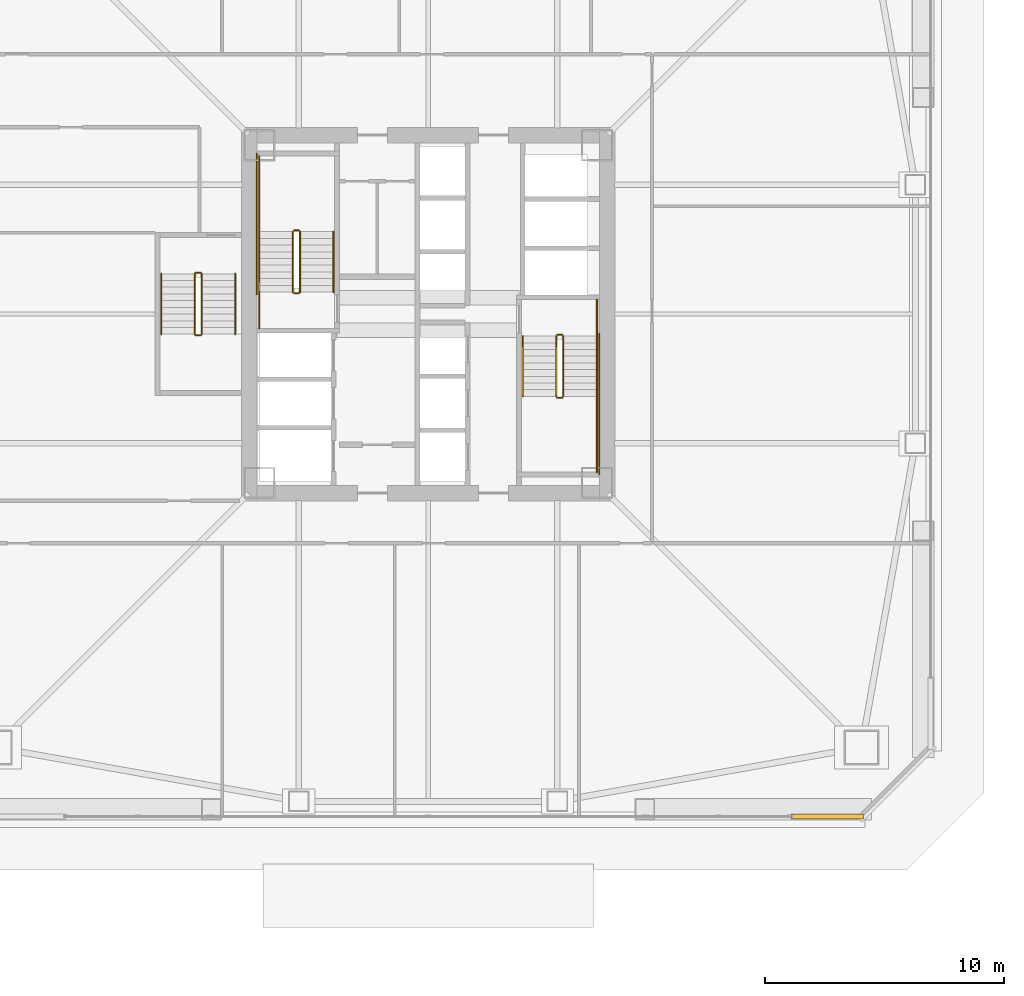
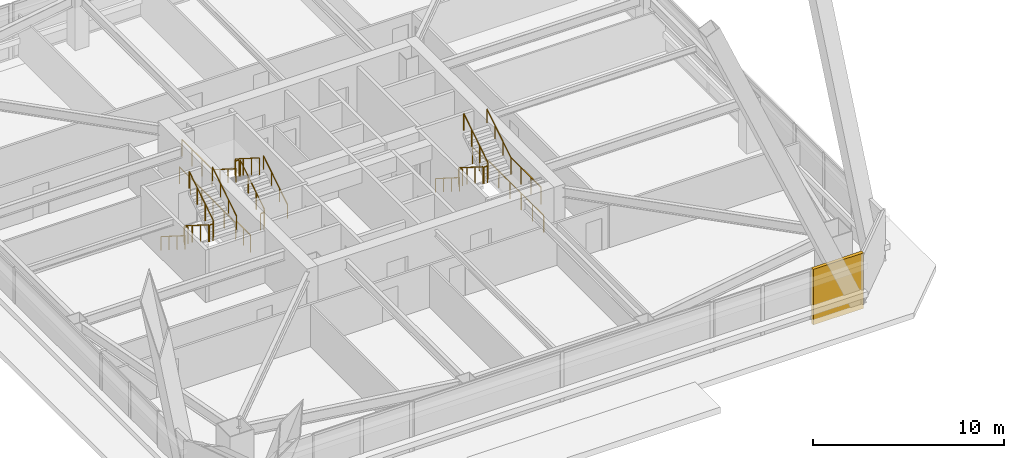
# One storey, part 62 of 67: 24 railings, 1 covering.
"""IFC4 building model written with IfcOpenShell, lengths in metres."""

from ifc_helpers import new_model, si_unit, direction, frame, origin, origin_2d, place, context, subcontext, project, spatial, rectangle, extrude, material, layer, layer_set, type_object, element, save


model = new_model("IFC4")

# Units and contexts
model_context = context("Model", 3, precision=1e-05, world=origin(), true_north=direction((0.0, 1.0)))
body_context = subcontext(model_context, "Body", "Model", "MODEL_VIEW")
ifc_project = project(units=[si_unit("LENGTHUNIT", "METRE"), si_unit("AREAUNIT", "SQUARE_METRE"), si_unit("VOLUMEUNIT", "CUBIC_METRE"), si_unit("PLANEANGLEUNIT", "RADIAN"), si_unit("MASSUNIT", "GRAM", prefix="KILO")], contexts=[model_context])

# Site, building, storey
site_placement = place(None, origin())
site = spatial("IfcSite", under=ifc_project, at=site_placement, CompositionType="ELEMENT")
building_placement = place(site_placement, origin())
building = spatial("IfcBuilding", under=site, at=building_placement, Name="Tashvorn Skyway Center", CompositionType="ELEMENT")
storey_placement = place(building_placement, frame((0.0, 0.0, 67.199951171875)))
storey = spatial("IfcBuildingStorey", under=building, at=storey_placement, Name="L17", CompositionType="ELEMENT", Elevation=67.199951171875)

# Covering
ifc_material_1 = material(Name="Precast concrete C40/50", Category="concrete")
ifc_layer = layer(ifc_material_1, 0.199951171875)
ifc_layer_set = layer_set([ifc_layer], Name="Precast concrete C40/50")
covering_type = type_object("IfcCoveringType", Name="COV-BRACE-CLAD", PredefinedType="CLADDING", material=ifc_layer_set)
covering_placement = place(storey_placement, frame((58.6650390625, 11.02001953125, 0.0), z_axis=(0.0, 0.0, 1.0), x_axis=(-1.0, 0.0, 0.0)))
element("IfcCovering", 1, at=covering_placement, inside=storey, type_object=covering_type, Name="Tower 1 L17 South Unitised Curtain Wall Mega-Brace Cladding Band 1", PredefinedType="CLADDING", context=body_context, shape_type="SweptSolid", body=[
    extrude(rectangle(XDim=3.030029296875, YDim=0.199951171875, at=origin_2d()), origin(), (0.0, 0.0, 1.0), 3.550048828125),
])

# Railings
ifc_material_2 = material(Name="Brushed stainless steel 316", Category="steel")
railing_type_1 = type_object("IfcRailingType", Name="RAIL-HAND-920", PredefinedType="HANDRAIL", material=ifc_material_2)
railing_1_placement = place(storey_placement, frame((38.050048828125, 32.919921875, 0.177490234375)))
element("IfcRailing", 2, at=railing_1_placement, inside=storey, type_object=railing_type_1, Name="L17 ST-T1-1 stair handrail 1", PredefinedType="HANDRAIL", context=body_context, shape_type="SweptSolid", body=[
    extrude(rectangle(XDim=0.048095703125, YDim=0.048095703125, at=origin_2d()), frame((0.0, 0.0, 0.8759765625), z_axis=(0.0, 0.84456994832, 0.535445237532), x_axis=(-1.0, 0.0, 0.0)), (0.0, 0.0, 1.0), 2.98388671875),
    extrude(rectangle(XDim=0.0419921875, YDim=0.0419921875, at=origin_2d()), origin(), (0.0, 0.0, 1.0), 0.851806640625),
    extrude(rectangle(XDim=0.0419921875, YDim=0.0419921875, at=origin_2d()), frame((0.0, 0.840087890625, 0.532470703125)), (0.0, 0.0, 1.0), 0.851806640625),
    extrude(rectangle(XDim=0.0419921875, YDim=0.0419921875, at=origin_2d()), frame((0.0, 1.679931640625, 1.065185546875)), (0.0, 0.0, 1.0), 0.851806640625),
    extrude(rectangle(XDim=0.0419921875, YDim=0.0419921875, at=origin_2d()), frame((0.0, 2.52001953125, 1.59765625)), (0.0, 0.0, 1.0), 0.851806640625),
])
railing_2_placement = place(storey_placement, frame((34.949951171875, 35.43994140625, 1.95263671875)))
element("IfcRailing", 3, at=railing_2_placement, inside=storey, type_object=railing_type_1, Name="L17 ST-T1-1 stair handrail 2", PredefinedType="HANDRAIL", context=body_context, shape_type="SweptSolid", body=[
    extrude(rectangle(XDim=0.048095703125, YDim=0.048095703125, at=origin_2d()), frame((0.0, 0.0, 0.8759765625), z_axis=(0.0, -0.84460694969, 0.535386869969), x_axis=(1.0, 0.0, 0.0)), (0.0, 0.0, 1.0), 2.983642578125),
    extrude(rectangle(XDim=0.0419921875, YDim=0.0419921875, at=origin_2d()), origin(), (0.0, 0.0, 1.0), 0.851806640625),
    extrude(rectangle(XDim=0.0419921875, YDim=0.0419921875, at=origin_2d()), frame((0.0, -0.840087890625, 0.532470703125)), (0.0, 0.0, 1.0), 0.851806640625),
    extrude(rectangle(XDim=0.0419921875, YDim=0.0419921875, at=origin_2d()), frame((0.0, -1.679931640625, 1.06494140625)), (0.0, 0.0, 1.0), 0.851806640625),
    extrude(rectangle(XDim=0.0419921875, YDim=0.0419921875, at=origin_2d()), frame((0.0, -2.52001953125, 1.597412109375)), (0.0, 0.0, 1.0), 0.851806640625),
])
railing_3_placement = place(storey_placement, frame((45.949951171875, 31.080078125, 0.177490234375)))
element("IfcRailing", 4, at=railing_3_placement, inside=storey, type_object=railing_type_1, Name="L17 ST-T1-2 stair handrail 1", PredefinedType="HANDRAIL", context=body_context, shape_type="SweptSolid", body=[
    extrude(rectangle(XDim=0.048095703125, YDim=0.048095703125, at=origin_2d()), frame((0.0, 0.0, 0.8759765625), z_axis=(0.0, -0.84456994832, 0.535445237532), x_axis=(1.0, 0.0, 0.0)), (0.0, 0.0, 1.0), 2.98388671875),
    extrude(rectangle(XDim=0.0419921875, YDim=0.0419921875, at=origin_2d()), origin(), (0.0, 0.0, 1.0), 0.851806640625),
    extrude(rectangle(XDim=0.0419921875, YDim=0.0419921875, at=origin_2d()), frame((0.0, -0.840087890625, 0.532470703125)), (0.0, 0.0, 1.0), 0.851806640625),
    extrude(rectangle(XDim=0.0419921875, YDim=0.0419921875, at=origin_2d()), frame((0.0, -1.679931640625, 1.065185546875)), (0.0, 0.0, 1.0), 0.851806640625),
    extrude(rectangle(XDim=0.0419921875, YDim=0.0419921875, at=origin_2d()), frame((0.0, -2.52001953125, 1.59765625)), (0.0, 0.0, 1.0), 0.851806640625),
])
railing_4_placement = place(storey_placement, frame((49.050048828125, 28.56005859375, 1.95263671875)))
element("IfcRailing", 5, at=railing_4_placement, inside=storey, type_object=railing_type_1, Name="L17 ST-T1-2 stair handrail 2", PredefinedType="HANDRAIL", context=body_context, shape_type="SweptSolid", body=[
    extrude(rectangle(XDim=0.048095703125, YDim=0.048095703125, at=origin_2d()), frame((0.0, 0.0, 0.8759765625), z_axis=(0.0, 0.84460694969, 0.535386869969), x_axis=(-1.0, 0.0, 0.0)), (0.0, 0.0, 1.0), 2.983642578125),
    extrude(rectangle(XDim=0.0419921875, YDim=0.0419921875, at=origin_2d()), origin(), (0.0, 0.0, 1.0), 0.851806640625),
    extrude(rectangle(XDim=0.0419921875, YDim=0.0419921875, at=origin_2d()), frame((0.0, 0.840087890625, 0.532470703125)), (0.0, 0.0, 1.0), 0.851806640625),
    extrude(rectangle(XDim=0.0419921875, YDim=0.0419921875, at=origin_2d()), frame((0.0, 1.679931640625, 1.06494140625)), (0.0, 0.0, 1.0), 0.851806640625),
    extrude(rectangle(XDim=0.0419921875, YDim=0.0419921875, at=origin_2d()), frame((0.0, 2.52001953125, 1.597412109375)), (0.0, 0.0, 1.0), 0.851806640625),
])
railing_5_placement = place(storey_placement, frame((30.85009765625, 33.679931640625, 0.177490234375)))
element("IfcRailing", 6, at=railing_5_placement, inside=storey, type_object=railing_type_1, Name="L17 ST-T1-3 stair handrail 1", PredefinedType="HANDRAIL", context=body_context, shape_type="SweptSolid", body=[
    extrude(rectangle(XDim=0.048095703125, YDim=0.048095703125, at=origin_2d()), frame((0.0, 0.0, 0.8759765625), z_axis=(0.0, -0.84456994832, 0.535445237532), x_axis=(1.0, 0.0, 0.0)), (0.0, 0.0, 1.0), 2.98388671875),
    extrude(rectangle(XDim=0.0419921875, YDim=0.0419921875, at=origin_2d()), origin(), (0.0, 0.0, 1.0), 0.851806640625),
    extrude(rectangle(XDim=0.0419921875, YDim=0.0419921875, at=origin_2d()), frame((0.0, -0.840087890625, 0.532470703125)), (0.0, 0.0, 1.0), 0.851806640625),
    extrude(rectangle(XDim=0.0419921875, YDim=0.0419921875, at=origin_2d()), frame((0.0, -1.679931640625, 1.065185546875)), (0.0, 0.0, 1.0), 0.851806640625),
    extrude(rectangle(XDim=0.0419921875, YDim=0.0419921875, at=origin_2d()), frame((0.0, -2.52001953125, 1.59765625)), (0.0, 0.0, 1.0), 0.851806640625),
])
railing_6_placement = place(storey_placement, frame((33.949951171875, 31.159912109375, 1.95263671875)))
element("IfcRailing", 7, at=railing_6_placement, inside=storey, type_object=railing_type_1, Name="L17 ST-T1-3 stair handrail 2", PredefinedType="HANDRAIL", context=body_context, shape_type="SweptSolid", body=[
    extrude(rectangle(XDim=0.048095703125, YDim=0.048095703125, at=origin_2d()), frame((0.0, 0.0, 0.8759765625), z_axis=(0.0, 0.84460694969, 0.535386869969), x_axis=(-1.0, 0.0, 0.0)), (0.0, 0.0, 1.0), 2.983642578125),
    extrude(rectangle(XDim=0.0419921875, YDim=0.0419921875, at=origin_2d()), origin(), (0.0, 0.0, 1.0), 0.851806640625),
    extrude(rectangle(XDim=0.0419921875, YDim=0.0419921875, at=origin_2d()), frame((0.0, 0.840087890625, 0.532470703125)), (0.0, 0.0, 1.0), 0.851806640625),
    extrude(rectangle(XDim=0.0419921875, YDim=0.0419921875, at=origin_2d()), frame((0.0, 1.679931640625, 1.06494140625)), (0.0, 0.0, 1.0), 0.851806640625),
    extrude(rectangle(XDim=0.0419921875, YDim=0.0419921875, at=origin_2d()), frame((0.0, 2.52001953125, 1.597412109375)), (0.0, 0.0, 1.0), 0.851806640625),
])
ifc_material_3 = material(Name="Painted galvanized steel S355", Category="steel")
railing_type_2 = type_object("IfcRailingType", Name="RAIL-STGUARD-1100", PredefinedType="GUARDRAIL", material=ifc_material_3)
railing_7_placement = place(storey_placement, frame((36.64990234375, 32.919921875, 0.177490234375)))
element("IfcRailing", 8, at=railing_7_placement, inside=storey, type_object=railing_type_2, Name="L17 ST-T1-1 stair guard 1", PredefinedType="GUARDRAIL", context=body_context, shape_type="SweptSolid", body=[
    extrude(rectangle(XDim=0.048095703125, YDim=0.048095703125, at=origin_2d()), frame((0.0, 0.0, 1.076171875), z_axis=(0.0, 0.84456994832, 0.535445237532), x_axis=(-1.0, 0.0, 0.0)), (0.0, 0.0, 1.0), 2.98388671875),
    extrude(rectangle(XDim=0.0419921875, YDim=0.0419921875, at=origin_2d()), origin(), (0.0, 0.0, 1.0), 1.052001953125),
    extrude(rectangle(XDim=0.0419921875, YDim=0.0419921875, at=origin_2d()), frame((0.0, 0.840087890625, 0.532470703125)), (0.0, 0.0, 1.0), 1.052001953125),
    extrude(rectangle(XDim=0.0419921875, YDim=0.0419921875, at=origin_2d()), frame((0.0, 1.679931640625, 1.065185546875)), (0.0, 0.0, 1.0), 1.052001953125),
    extrude(rectangle(XDim=0.0419921875, YDim=0.0419921875, at=origin_2d()), frame((0.0, 2.52001953125, 1.59765625)), (0.0, 0.0, 1.0), 1.052001953125),
])
railing_8_placement = place(storey_placement, frame((36.60009765625, 35.489990234375, 1.775146484375)))
element("IfcRailing", 9, at=railing_8_placement, inside=storey, type_object=railing_type_2, Name="L17 ST-T1-1 stair guard 2", PredefinedType="GUARDRAIL", context=body_context, shape_type="SweptSolid", body=[
    extrude(rectangle(XDim=0.048095703125, YDim=0.048095703125, at=origin_2d()), frame((0.0, 0.0, 1.076171875), z_axis=(-1.0, 0.0, 0.0), x_axis=(0.0, -1.0, 0.0)), (0.0, 0.0, 1.0), 0.2001953125),
    extrude(rectangle(XDim=0.0419921875, YDim=0.0419921875, at=origin_2d()), origin(), (0.0, 0.0, 1.0), 1.052001953125),
    extrude(rectangle(XDim=0.0419921875, YDim=0.0419921875, at=origin_2d()), frame((-0.2001953125, 0.0, 0.0)), (0.0, 0.0, 1.0), 1.052001953125),
])
railing_9_placement = place(storey_placement, frame((34.949951171875, 35.43994140625, 1.775146484375)))
element("IfcRailing", 10, at=railing_9_placement, inside=storey, type_object=railing_type_2, Name="L17 ST-T1-1 stair guard 3", PredefinedType="GUARDRAIL", context=body_context, shape_type="SweptSolid", body=[
    extrude(rectangle(XDim=0.048095703125, YDim=0.048095703125, at=origin_2d()), frame((0.0, 0.0, 1.076171875), z_axis=(0.0, 1.0, 0.0), x_axis=(-1.0, 0.0, 0.0)), (0.0, 0.0, 1.0), 3.16015625),
    extrude(rectangle(XDim=0.0419921875, YDim=0.0419921875, at=origin_2d()), origin(), (0.0, 0.0, 1.0), 1.052001953125),
    extrude(rectangle(XDim=0.0419921875, YDim=0.0419921875, at=origin_2d()), frame((0.0, 1.053466796875, 0.0)), (0.0, 0.0, 1.0), 1.052001953125),
    extrude(rectangle(XDim=0.0419921875, YDim=0.0419921875, at=origin_2d()), frame((0.0, 2.106689453125, 0.0)), (0.0, 0.0, 1.0), 1.052001953125),
    extrude(rectangle(XDim=0.0419921875, YDim=0.0419921875, at=origin_2d()), frame((0.0, 3.16015625, 0.0)), (0.0, 0.0, 1.0), 1.052001953125),
])
railing_10_placement = place(storey_placement, frame((36.35009765625, 35.43994140625, 1.95263671875)))
element("IfcRailing", 11, at=railing_10_placement, inside=storey, type_object=railing_type_2, Name="L17 ST-T1-1 stair guard 4", PredefinedType="GUARDRAIL", context=body_context, shape_type="SweptSolid", body=[
    extrude(rectangle(XDim=0.048095703125, YDim=0.048095703125, at=origin_2d()), frame((0.0, 0.0, 1.076171875), z_axis=(0.0, -0.84460694969, 0.535386869969), x_axis=(1.0, 0.0, 0.0)), (0.0, 0.0, 1.0), 2.983642578125),
    extrude(rectangle(XDim=0.0419921875, YDim=0.0419921875, at=origin_2d()), origin(), (0.0, 0.0, 1.0), 1.052001953125),
    extrude(rectangle(XDim=0.0419921875, YDim=0.0419921875, at=origin_2d()), frame((0.0, -0.840087890625, 0.532470703125)), (0.0, 0.0, 1.0), 1.052001953125),
    extrude(rectangle(XDim=0.0419921875, YDim=0.0419921875, at=origin_2d()), frame((0.0, -1.679931640625, 1.06494140625)), (0.0, 0.0, 1.0), 1.052001953125),
    extrude(rectangle(XDim=0.0419921875, YDim=0.0419921875, at=origin_2d()), frame((0.0, -2.52001953125, 1.597412109375)), (0.0, 0.0, 1.0), 1.052001953125),
])
railing_11_placement = place(storey_placement, frame((36.60009765625, 32.8701171875, 0.0)))
element("IfcRailing", 12, at=railing_11_placement, inside=storey, type_object=railing_type_2, Name="L17 ST-T1-1 stair guard 5", PredefinedType="GUARDRAIL", context=body_context, shape_type="SweptSolid", body=[
    extrude(rectangle(XDim=0.048095703125, YDim=0.048095703125, at=origin_2d()), frame((0.0, 0.0, 1.076171875), z_axis=(-1.0, 0.0, 0.0), x_axis=(0.0, -1.0, 0.0)), (0.0, 0.0, 1.0), 0.2001953125),
    extrude(rectangle(XDim=0.0419921875, YDim=0.0419921875, at=origin_2d()), origin(), (0.0, 0.0, 1.0), 1.052001953125),
    extrude(rectangle(XDim=0.0419921875, YDim=0.0419921875, at=origin_2d()), frame((-0.2001953125, 0.0, 0.0)), (0.0, 0.0, 1.0), 1.052001953125),
])
railing_12_placement = place(storey_placement, frame((34.949951171875, 31.39990234375, 0.0)))
element("IfcRailing", 13, at=railing_12_placement, inside=storey, type_object=railing_type_2, Name="L17 ST-T1-1 stair guard 6", PredefinedType="GUARDRAIL", context=body_context, shape_type="SweptSolid", body=[
    extrude(rectangle(XDim=0.048095703125, YDim=0.048095703125, at=origin_2d()), frame((0.0, 0.0, 1.076171875), z_axis=(0.0, 1.0, 0.0), x_axis=(-1.0, 0.0, 0.0)), (0.0, 0.0, 1.0), 1.52001953125),
    extrude(rectangle(XDim=0.0419921875, YDim=0.0419921875, at=origin_2d()), origin(), (0.0, 0.0, 1.0), 1.052001953125),
    extrude(rectangle(XDim=0.0419921875, YDim=0.0419921875, at=origin_2d()), frame((0.0, 0.760009765625, 0.0)), (0.0, 0.0, 1.0), 1.052001953125),
    extrude(rectangle(XDim=0.0419921875, YDim=0.0419921875, at=origin_2d()), frame((0.0, 1.52001953125, 0.0)), (0.0, 0.0, 1.0), 1.052001953125),
])
railing_13_placement = place(storey_placement, frame((34.85009765625, 32.820068359375, 0.0)))
element("IfcRailing", 14, at=railing_13_placement, inside=storey, type_object=railing_type_2, Name="L17 ST-T1-1 stair guard 7", PredefinedType="GUARDRAIL", context=body_context, shape_type="SweptSolid", body=[
    extrude(rectangle(XDim=0.048095703125, YDim=0.048095703125, at=origin_2d()), frame((0.0, 0.0, 1.076171875), z_axis=(0.0, 1.0, 0.0), x_axis=(-1.0, 0.0, 0.0)), (0.0, 0.0, 1.0), 5.8798828125),
    extrude(rectangle(XDim=0.0419921875, YDim=0.0419921875, at=origin_2d()), origin(), (0.0, 0.0, 1.0), 1.052001953125),
    extrude(rectangle(XDim=0.0419921875, YDim=0.0419921875, at=origin_2d()), frame((0.0, 1.176025390625, 0.0)), (0.0, 0.0, 1.0), 1.052001953125),
    extrude(rectangle(XDim=0.0419921875, YDim=0.0419921875, at=origin_2d()), frame((0.0, 2.35205078125, 0.0)), (0.0, 0.0, 1.0), 1.052001953125),
    extrude(rectangle(XDim=0.0419921875, YDim=0.0419921875, at=origin_2d()), frame((0.0, 3.52783203125, 0.0)), (0.0, 0.0, 1.0), 1.052001953125),
    extrude(rectangle(XDim=0.0419921875, YDim=0.0419921875, at=origin_2d()), frame((0.0, 4.703857421875, 0.0)), (0.0, 0.0, 1.0), 1.052001953125),
    extrude(rectangle(XDim=0.0419921875, YDim=0.0419921875, at=origin_2d()), frame((0.0, 5.8798828125, 0.0)), (0.0, 0.0, 1.0), 1.052001953125),
])
railing_14_placement = place(storey_placement, frame((47.35009765625, 31.080078125, 0.177490234375)))
element("IfcRailing", 15, at=railing_14_placement, inside=storey, type_object=railing_type_2, Name="L17 ST-T1-2 stair guard 1", PredefinedType="GUARDRAIL", context=body_context, shape_type="SweptSolid", body=[
    extrude(rectangle(XDim=0.048095703125, YDim=0.048095703125, at=origin_2d()), frame((0.0, 0.0, 1.076171875), z_axis=(0.0, -0.84456994832, 0.535445237532), x_axis=(1.0, 0.0, 0.0)), (0.0, 0.0, 1.0), 2.98388671875),
    extrude(rectangle(XDim=0.0419921875, YDim=0.0419921875, at=origin_2d()), origin(), (0.0, 0.0, 1.0), 1.052001953125),
    extrude(rectangle(XDim=0.0419921875, YDim=0.0419921875, at=origin_2d()), frame((0.0, -0.840087890625, 0.532470703125)), (0.0, 0.0, 1.0), 1.052001953125),
    extrude(rectangle(XDim=0.0419921875, YDim=0.0419921875, at=origin_2d()), frame((0.0, -1.679931640625, 1.065185546875)), (0.0, 0.0, 1.0), 1.052001953125),
    extrude(rectangle(XDim=0.0419921875, YDim=0.0419921875, at=origin_2d()), frame((0.0, -2.52001953125, 1.59765625)), (0.0, 0.0, 1.0), 1.052001953125),
])
railing_15_placement = place(storey_placement, frame((47.39990234375, 28.510009765625, 1.775146484375)))
element("IfcRailing", 16, at=railing_15_placement, inside=storey, type_object=railing_type_2, Name="L17 ST-T1-2 stair guard 2", PredefinedType="GUARDRAIL", context=body_context, shape_type="SweptSolid", body=[
    extrude(rectangle(XDim=0.048095703125, YDim=0.048095703125, at=origin_2d()), frame((0.0, 0.0, 1.076171875), z_axis=(1.0, 0.0, 0.0), x_axis=(0.0, 1.0, 0.0)), (0.0, 0.0, 1.0), 0.2001953125),
    extrude(rectangle(XDim=0.0419921875, YDim=0.0419921875, at=origin_2d()), origin(), (0.0, 0.0, 1.0), 1.052001953125),
    extrude(rectangle(XDim=0.0419921875, YDim=0.0419921875, at=origin_2d()), frame((0.2001953125, 0.0, 0.0)), (0.0, 0.0, 1.0), 1.052001953125),
])
railing_16_placement = place(storey_placement, frame((49.050048828125, 28.56005859375, 1.775146484375)))
element("IfcRailing", 17, at=railing_16_placement, inside=storey, type_object=railing_type_2, Name="L17 ST-T1-2 stair guard 3", PredefinedType="GUARDRAIL", context=body_context, shape_type="SweptSolid", body=[
    extrude(rectangle(XDim=0.048095703125, YDim=0.048095703125, at=origin_2d()), frame((0.0, 0.0, 1.076171875), z_axis=(0.0, -1.0, 0.0), x_axis=(1.0, 0.0, 0.0)), (0.0, 0.0, 1.0), 3.16015625),
    extrude(rectangle(XDim=0.0419921875, YDim=0.0419921875, at=origin_2d()), origin(), (0.0, 0.0, 1.0), 1.052001953125),
    extrude(rectangle(XDim=0.0419921875, YDim=0.0419921875, at=origin_2d()), frame((0.0, -1.053466796875, 0.0)), (0.0, 0.0, 1.0), 1.052001953125),
    extrude(rectangle(XDim=0.0419921875, YDim=0.0419921875, at=origin_2d()), frame((0.0, -2.106689453125, 0.0)), (0.0, 0.0, 1.0), 1.052001953125),
    extrude(rectangle(XDim=0.0419921875, YDim=0.0419921875, at=origin_2d()), frame((0.0, -3.16015625, 0.0)), (0.0, 0.0, 1.0), 1.052001953125),
])
railing_17_placement = place(storey_placement, frame((47.64990234375, 28.56005859375, 1.95263671875)))
element("IfcRailing", 18, at=railing_17_placement, inside=storey, type_object=railing_type_2, Name="L17 ST-T1-2 stair guard 4", PredefinedType="GUARDRAIL", context=body_context, shape_type="SweptSolid", body=[
    extrude(rectangle(XDim=0.048095703125, YDim=0.048095703125, at=origin_2d()), frame((0.0, 0.0, 1.076171875), z_axis=(0.0, 0.84460694969, 0.535386869969), x_axis=(-1.0, 0.0, 0.0)), (0.0, 0.0, 1.0), 2.983642578125),
    extrude(rectangle(XDim=0.0419921875, YDim=0.0419921875, at=origin_2d()), origin(), (0.0, 0.0, 1.0), 1.052001953125),
    extrude(rectangle(XDim=0.0419921875, YDim=0.0419921875, at=origin_2d()), frame((0.0, 0.840087890625, 0.532470703125)), (0.0, 0.0, 1.0), 1.052001953125),
    extrude(rectangle(XDim=0.0419921875, YDim=0.0419921875, at=origin_2d()), frame((0.0, 1.679931640625, 1.06494140625)), (0.0, 0.0, 1.0), 1.052001953125),
    extrude(rectangle(XDim=0.0419921875, YDim=0.0419921875, at=origin_2d()), frame((0.0, 2.52001953125, 1.597412109375)), (0.0, 0.0, 1.0), 1.052001953125),
])
railing_18_placement = place(storey_placement, frame((47.39990234375, 31.1298828125, 0.0)))
element("IfcRailing", 19, at=railing_18_placement, inside=storey, type_object=railing_type_2, Name="L17 ST-T1-2 stair guard 5", PredefinedType="GUARDRAIL", context=body_context, shape_type="SweptSolid", body=[
    extrude(rectangle(XDim=0.048095703125, YDim=0.048095703125, at=origin_2d()), frame((0.0, 0.0, 1.076171875), z_axis=(1.0, 0.0, 0.0), x_axis=(0.0, 1.0, 0.0)), (0.0, 0.0, 1.0), 0.2001953125),
    extrude(rectangle(XDim=0.0419921875, YDim=0.0419921875, at=origin_2d()), origin(), (0.0, 0.0, 1.0), 1.052001953125),
    extrude(rectangle(XDim=0.0419921875, YDim=0.0419921875, at=origin_2d()), frame((0.2001953125, 0.0, 0.0)), (0.0, 0.0, 1.0), 1.052001953125),
])
railing_19_placement = place(storey_placement, frame((49.050048828125, 32.60009765625, 0.0)))
element("IfcRailing", 20, at=railing_19_placement, inside=storey, type_object=railing_type_2, Name="L17 ST-T1-2 stair guard 6", PredefinedType="GUARDRAIL", context=body_context, shape_type="SweptSolid", body=[
    extrude(rectangle(XDim=0.048095703125, YDim=0.048095703125, at=origin_2d()), frame((0.0, 0.0, 1.076171875), z_axis=(0.0, -1.0, 0.0), x_axis=(1.0, 0.0, 0.0)), (0.0, 0.0, 1.0), 1.52001953125),
    extrude(rectangle(XDim=0.0419921875, YDim=0.0419921875, at=origin_2d()), origin(), (0.0, 0.0, 1.0), 1.052001953125),
    extrude(rectangle(XDim=0.0419921875, YDim=0.0419921875, at=origin_2d()), frame((0.0, -0.760009765625, 0.0)), (0.0, 0.0, 1.0), 1.052001953125),
    extrude(rectangle(XDim=0.0419921875, YDim=0.0419921875, at=origin_2d()), frame((0.0, -1.52001953125, 0.0)), (0.0, 0.0, 1.0), 1.052001953125),
])
railing_20_placement = place(storey_placement, frame((49.14990234375, 31.179931640625, 0.0)))
element("IfcRailing", 21, at=railing_20_placement, inside=storey, type_object=railing_type_2, Name="L17 ST-T1-2 stair guard 7", PredefinedType="GUARDRAIL", context=body_context, shape_type="SweptSolid", body=[
    extrude(rectangle(XDim=0.048095703125, YDim=0.048095703125, at=origin_2d()), frame((0.0, 0.0, 1.076171875), z_axis=(0.0, -1.0, 0.0), x_axis=(1.0, 0.0, 0.0)), (0.0, 0.0, 1.0), 5.8798828125),
    extrude(rectangle(XDim=0.0419921875, YDim=0.0419921875, at=origin_2d()), origin(), (0.0, 0.0, 1.0), 1.052001953125),
    extrude(rectangle(XDim=0.0419921875, YDim=0.0419921875, at=origin_2d()), frame((0.0, -1.176025390625, 0.0)), (0.0, 0.0, 1.0), 1.052001953125),
    extrude(rectangle(XDim=0.0419921875, YDim=0.0419921875, at=origin_2d()), frame((0.0, -2.35205078125, 0.0)), (0.0, 0.0, 1.0), 1.052001953125),
    extrude(rectangle(XDim=0.0419921875, YDim=0.0419921875, at=origin_2d()), frame((0.0, -3.52783203125, 0.0)), (0.0, 0.0, 1.0), 1.052001953125),
    extrude(rectangle(XDim=0.0419921875, YDim=0.0419921875, at=origin_2d()), frame((0.0, -4.703857421875, 0.0)), (0.0, 0.0, 1.0), 1.052001953125),
    extrude(rectangle(XDim=0.0419921875, YDim=0.0419921875, at=origin_2d()), frame((0.0, -5.8798828125, 0.0)), (0.0, 0.0, 1.0), 1.052001953125),
])
railing_21_placement = place(storey_placement, frame((32.25, 33.679931640625, 0.177490234375)))
element("IfcRailing", 22, at=railing_21_placement, inside=storey, type_object=railing_type_2, Name="L17 ST-T1-3 stair guard 1", PredefinedType="GUARDRAIL", context=body_context, shape_type="SweptSolid", body=[
    extrude(rectangle(XDim=0.048095703125, YDim=0.048095703125, at=origin_2d()), frame((0.0, 0.0, 1.076171875), z_axis=(0.0, -0.84456994832, 0.535445237532), x_axis=(1.0, 0.0, 0.0)), (0.0, 0.0, 1.0), 2.98388671875),
    extrude(rectangle(XDim=0.0419921875, YDim=0.0419921875, at=origin_2d()), origin(), (0.0, 0.0, 1.0), 1.052001953125),
    extrude(rectangle(XDim=0.0419921875, YDim=0.0419921875, at=origin_2d()), frame((0.0, -0.840087890625, 0.532470703125)), (0.0, 0.0, 1.0), 1.052001953125),
    extrude(rectangle(XDim=0.0419921875, YDim=0.0419921875, at=origin_2d()), frame((0.0, -1.679931640625, 1.065185546875)), (0.0, 0.0, 1.0), 1.052001953125),
    extrude(rectangle(XDim=0.0419921875, YDim=0.0419921875, at=origin_2d()), frame((0.0, -2.52001953125, 1.59765625)), (0.0, 0.0, 1.0), 1.052001953125),
])
railing_22_placement = place(storey_placement, frame((32.300048828125, 31.110107421875, 1.775146484375)))
element("IfcRailing", 23, at=railing_22_placement, inside=storey, type_object=railing_type_2, Name="L17 ST-T1-3 stair guard 2", PredefinedType="GUARDRAIL", context=body_context, shape_type="SweptSolid", body=[
    extrude(rectangle(XDim=0.048095703125, YDim=0.048095703125, at=origin_2d()), frame((0.0, 0.0, 1.076171875), z_axis=(1.0, 0.0, 0.0), x_axis=(0.0, 1.0, 0.0)), (0.0, 0.0, 1.0), 0.199951171875),
    extrude(rectangle(XDim=0.0419921875, YDim=0.0419921875, at=origin_2d()), origin(), (0.0, 0.0, 1.0), 1.052001953125),
    extrude(rectangle(XDim=0.0419921875, YDim=0.0419921875, at=origin_2d()), frame((0.199951171875, 0.0, 0.0)), (0.0, 0.0, 1.0), 1.052001953125),
])
railing_23_placement = place(storey_placement, frame((32.550048828125, 31.159912109375, 1.95263671875)))
element("IfcRailing", 24, at=railing_23_placement, inside=storey, type_object=railing_type_2, Name="L17 ST-T1-3 stair guard 3", PredefinedType="GUARDRAIL", context=body_context, shape_type="SweptSolid", body=[
    extrude(rectangle(XDim=0.048095703125, YDim=0.048095703125, at=origin_2d()), frame((0.0, 0.0, 1.076171875), z_axis=(0.0, 0.84460694969, 0.535386869969), x_axis=(-1.0, 0.0, 0.0)), (0.0, 0.0, 1.0), 2.983642578125),
    extrude(rectangle(XDim=0.0419921875, YDim=0.0419921875, at=origin_2d()), origin(), (0.0, 0.0, 1.0), 1.052001953125),
    extrude(rectangle(XDim=0.0419921875, YDim=0.0419921875, at=origin_2d()), frame((0.0, 0.840087890625, 0.532470703125)), (0.0, 0.0, 1.0), 1.052001953125),
    extrude(rectangle(XDim=0.0419921875, YDim=0.0419921875, at=origin_2d()), frame((0.0, 1.679931640625, 1.06494140625)), (0.0, 0.0, 1.0), 1.052001953125),
    extrude(rectangle(XDim=0.0419921875, YDim=0.0419921875, at=origin_2d()), frame((0.0, 2.52001953125, 1.597412109375)), (0.0, 0.0, 1.0), 1.052001953125),
])
railing_24_placement = place(storey_placement, frame((32.300048828125, 33.72998046875, 0.0)))
element("IfcRailing", 25, at=railing_24_placement, inside=storey, type_object=railing_type_2, Name="L17 ST-T1-3 stair guard 4", PredefinedType="GUARDRAIL", context=body_context, shape_type="SweptSolid", body=[
    extrude(rectangle(XDim=0.048095703125, YDim=0.048095703125, at=origin_2d()), frame((0.0, 0.0, 1.076171875), z_axis=(1.0, 0.0, 0.0), x_axis=(0.0, 1.0, 0.0)), (0.0, 0.0, 1.0), 0.199951171875),
    extrude(rectangle(XDim=0.0419921875, YDim=0.0419921875, at=origin_2d()), origin(), (0.0, 0.0, 1.0), 1.052001953125),
    extrude(rectangle(XDim=0.0419921875, YDim=0.0419921875, at=origin_2d()), frame((0.199951171875, 0.0, 0.0)), (0.0, 0.0, 1.0), 1.052001953125),
])

save(model, "model.ifc")
